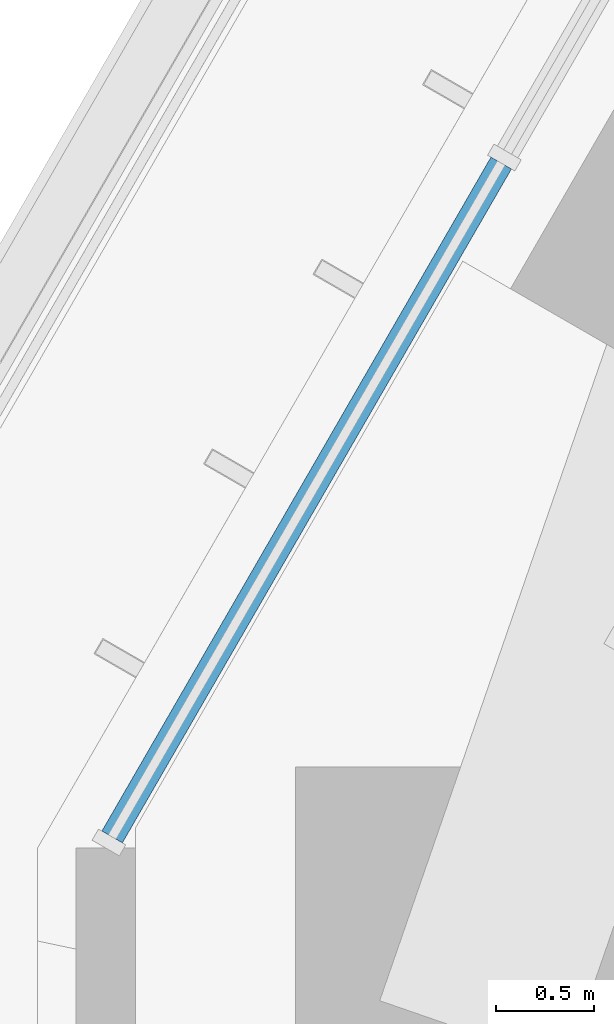
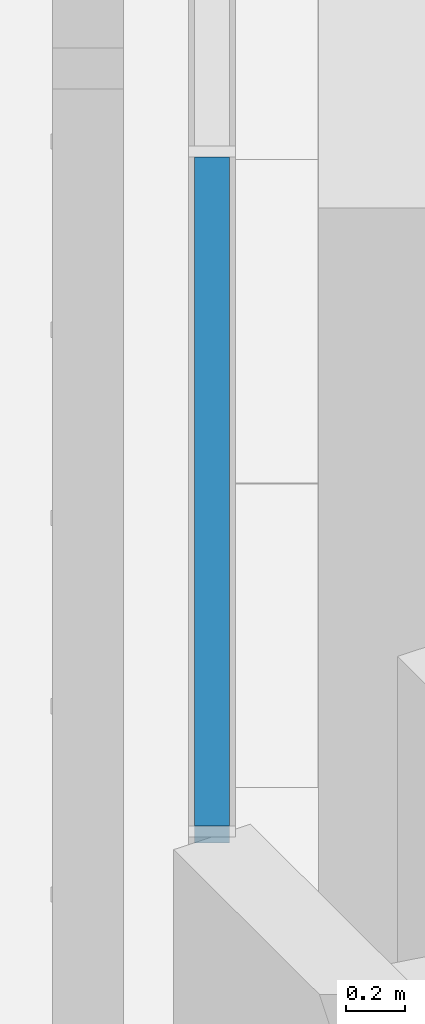
# One storey, part 134 of 228: 1 member, 1 element without a shape of its own.
"""IFC4 building model written with IfcOpenShell, lengths in metres."""

from ifc_helpers import new_model, si_unit, direction, frame, origin, origin_2d, place, context, subcontext, project, spatial, rectangle, extrude, material, material_profile, profile_set, type_object, element, aggregate, save


model = new_model("IFC4")

# Units and contexts
model_context = context("Model", 3, precision=1e-05, world=origin(), true_north=direction((0.0, 1.0)))
body_context = subcontext(model_context, "Body", "Model", "MODEL_VIEW")
ifc_project = project(units=[si_unit("LENGTHUNIT", "METRE"), si_unit("AREAUNIT", "SQUARE_METRE"), si_unit("VOLUMEUNIT", "CUBIC_METRE"), si_unit("PLANEANGLEUNIT", "RADIAN"), si_unit("MASSUNIT", "GRAM", prefix="KILO")], contexts=[model_context])

# Site, building, storey
site_placement = place(None, origin())
site = spatial("IfcSite", under=ifc_project, at=site_placement, CompositionType="ELEMENT")
building_placement = place(site_placement, origin())
building = spatial("IfcBuilding", under=site, at=building_placement, Name="Sandreach Pilgrim Tower", CompositionType="ELEMENT")
storey_placement = place(building_placement, frame((0.0, 0.0, 178.199951171875)))
storey = spatial("IfcBuildingStorey", under=building, at=storey_placement, Name="L44", CompositionType="ELEMENT", Elevation=178.199951171875)

# Curtain wall, member
ifc_material_1 = material(Name="Aluminium framed curtain wall", Category="aluminium")
curtain_wall_type = type_object("IfcCurtainWallType", Name="Upper hotel tower curtain wall", PredefinedType="NOTDEFINED", material=ifc_material_1)
curtain_wall_placement = place(storey_placement, origin())
curtain_wall = element("IfcCurtainWall", 1, at=curtain_wall_placement, inside=storey, type_object=curtain_wall_type, Name="CW-3 L44 NW", PredefinedType="NOTDEFINED")
ifc_material_2 = material(Name="Aluminium extrusion", Category="aluminium")
ifc_material_profile = material_profile(ifc_material_2, rectangle(XDim=0.1201171875, YDim=0.070068359375, at=origin_2d()), Name="CW-3T 120X70")
ifc_profile_set = profile_set([ifc_material_profile], Name="Aluminium extrusion")
member_type = type_object("IfcMemberType", Name="CW-3 transom", PredefinedType="USERDEFINED", material=ifc_profile_set)
member_placement = place(storey_placement, frame((-26.987548828125, 6.306396484375, 4.804931640625), z_axis=(0.499993448556, 0.866029186229, 0.0), x_axis=(-0.866029186229, 0.499993448556, 0.0)))
member = element("IfcMember", 2, at=member_placement, type_object=member_type, Name="CW-3 head transom 1", ObjectType="TRANSOM", PredefinedType="USERDEFINED", context=body_context, shape_type="SweptSolid", body=[
    extrude(rectangle(XDim=0.1201171875, YDim=0.070068359375, at=origin_2d()), origin(), (0.0, 0.0, 1.0), 3.951171875),
])
aggregate(curtain_wall, [member])

save(model, "model.ifc")
